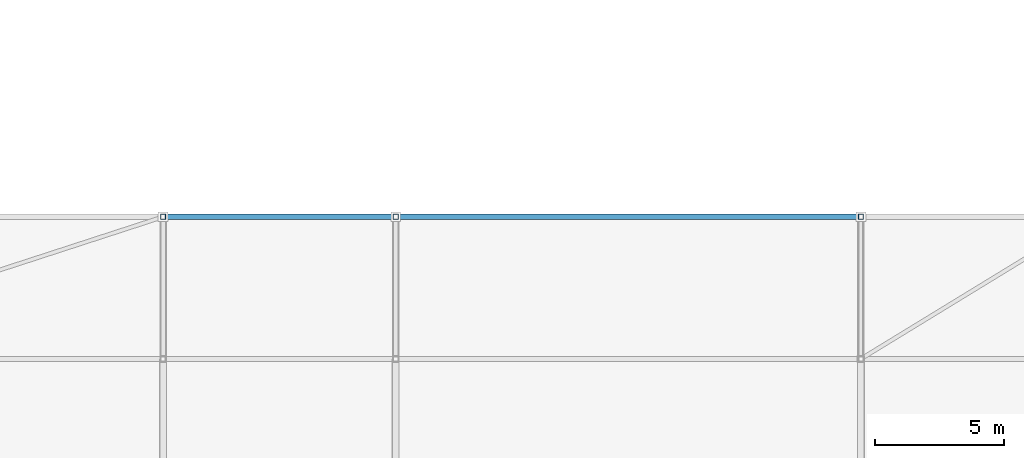
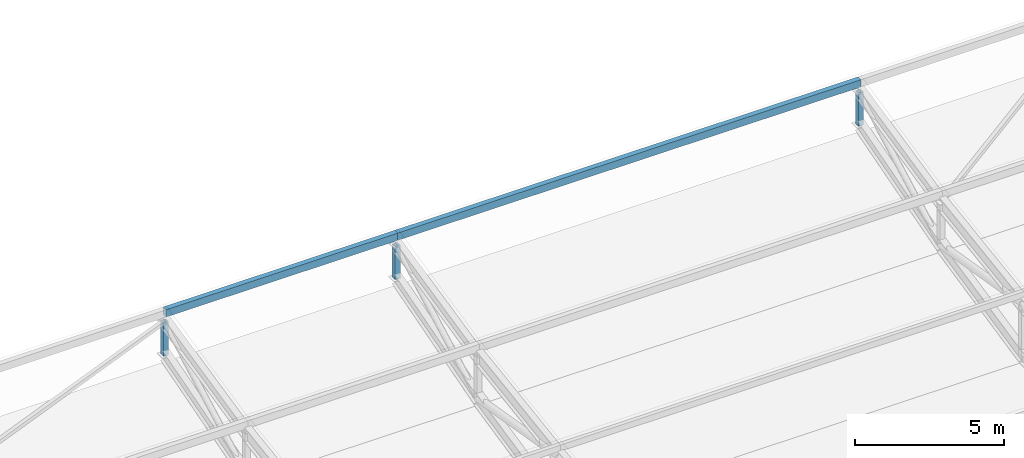
# One storey, part 22 of 114: 5 members.
"""IFC4 building model written with IfcOpenShell, lengths in metres."""

from ifc_helpers import new_model, si_unit, direction, frame, origin, origin_2d, place, context, subcontext, project, spatial, hollow_rectangle, extrude, material, material_profile, profile_set, type_object, element, save


model = new_model("IFC4")

# Units and contexts
model_context = context("Model", 3, precision=1e-05, world=origin(), true_north=direction((0.0, 1.0)))
body_context = subcontext(model_context, "Body", "Model", "MODEL_VIEW")
ifc_project = project(units=[si_unit("LENGTHUNIT", "METRE"), si_unit("AREAUNIT", "SQUARE_METRE"), si_unit("VOLUMEUNIT", "CUBIC_METRE"), si_unit("PLANEANGLEUNIT", "RADIAN"), si_unit("MASSUNIT", "GRAM", prefix="KILO"), si_unit("THERMODYNAMICTEMPERATUREUNIT", "KELVIN"), si_unit("POWERUNIT", "WATT")], contexts=[model_context])

# Site, building, storey
site_placement = place(None, origin())
site = spatial("IfcSite", under=ifc_project, at=site_placement, CompositionType="ELEMENT")
building_placement = place(site_placement, origin())
building = spatial("IfcBuilding", under=site, at=building_placement, Name="Sindhuravela Promenade Stadium", CompositionType="ELEMENT")
storey_placement = place(building_placement, frame((0.0, 0.0, 24.0)))
storey = spatial("IfcBuildingStorey", under=building, at=storey_placement, Name="L05", CompositionType="ELEMENT", Elevation=24.0)

# Members
ifc_material = material(Name="Steel E350 (IS 2062 E350BR)", Category="steel")
ifc_material_profile_1 = material_profile(ifc_material, hollow_rectangle(XDim=0.199951171875, YDim=0.300048828125, WallThickness=0.010009765625, at=origin_2d()), Name="RHS 300x200x10")
ifc_profile_set_1 = profile_set([ifc_material_profile_1], Name="Steel E350 (IS 2062 E350BR)")
member_type_1 = type_object("IfcMemberType", Name="ST-MB-RHS300", PredefinedType="PURLIN", material=ifc_profile_set_1)
member_1_placement = place(storey_placement, frame((72.0, 43.5, 4.76708984375), z_axis=(1.0, 0.0, 0.0), x_axis=(0.0, 1.0, 0.0)))
element("IfcMember", 1, at=member_1_placement, inside=storey, type_object=member_type_1, Name="Roof purlin PR02 S bay 2.6", PredefinedType="PURLIN", context=body_context, shape_type="SweptSolid", body=[
    extrude(hollow_rectangle(XDim=0.199951171875, YDim=0.300048828125, WallThickness=0.010009765625, at=origin_2d()), origin(), (0.0, 0.0, 1.0), 9.0),
])
member_2_placement = place(storey_placement, frame((81.0, 43.5, 4.76708984375), z_axis=(1.0, 0.0, 0.0), x_axis=(0.0, 1.0, 0.0)))
element("IfcMember", 2, at=member_2_placement, inside=storey, type_object=member_type_1, Name="Roof purlin PR02 S bay 3.6", PredefinedType="PURLIN", context=body_context, shape_type="SweptSolid", body=[
    extrude(hollow_rectangle(XDim=0.199951171875, YDim=0.300048828125, WallThickness=0.010009765625, at=origin_2d()), origin(), (0.0, 0.0, 1.0), 18.0),
])
ifc_material_profile_2 = material_profile(ifc_material, hollow_rectangle(XDim=0.199951171875, YDim=0.199951171875, WallThickness=0.010009765625, at=origin_2d()), Name="SHS 200x200x10")
ifc_profile_set_2 = profile_set([ifc_material_profile_2], Name="Steel E350 (IS 2062 E350BR)")
member_type_2 = type_object("IfcMemberType", Name="ST-MB-SHS200", PredefinedType="POST", material=ifc_profile_set_2)
for number, where, z_axis, x_axis, name in (
    (3, (72.0, 43.5, 3.02490234375), (0.0, 0.0, 1.0), (1.0, 0.0, 0.0), "Roof truss RT-S02 vertical post 6"),
    (4, (81.0, 43.5, 3.02490234375), (0.0, 0.0, 1.0), (1.0, 0.0, 0.0), "Roof truss RT-S03 vertical post 6"),
    (5, (99.0, 43.5, 3.02490234375), (0.0, 0.0, 1.0), (1.0, 0.0, 0.0), "Roof truss RT-S04 vertical post 6"),
):
    element("IfcMember", number, at=place(storey_placement, frame(where, z_axis=z_axis, x_axis=x_axis)), inside=storey, type_object=member_type_2, Name=name, PredefinedType="POST", context=body_context, shape_type="SweptSolid", body=[
        extrude(hollow_rectangle(XDim=0.199951171875, YDim=0.199951171875, WallThickness=0.010009765625, at=origin_2d()), origin(), (0.0, 0.0, 1.0), 1.375),
    ])

save(model, "model.ifc")
